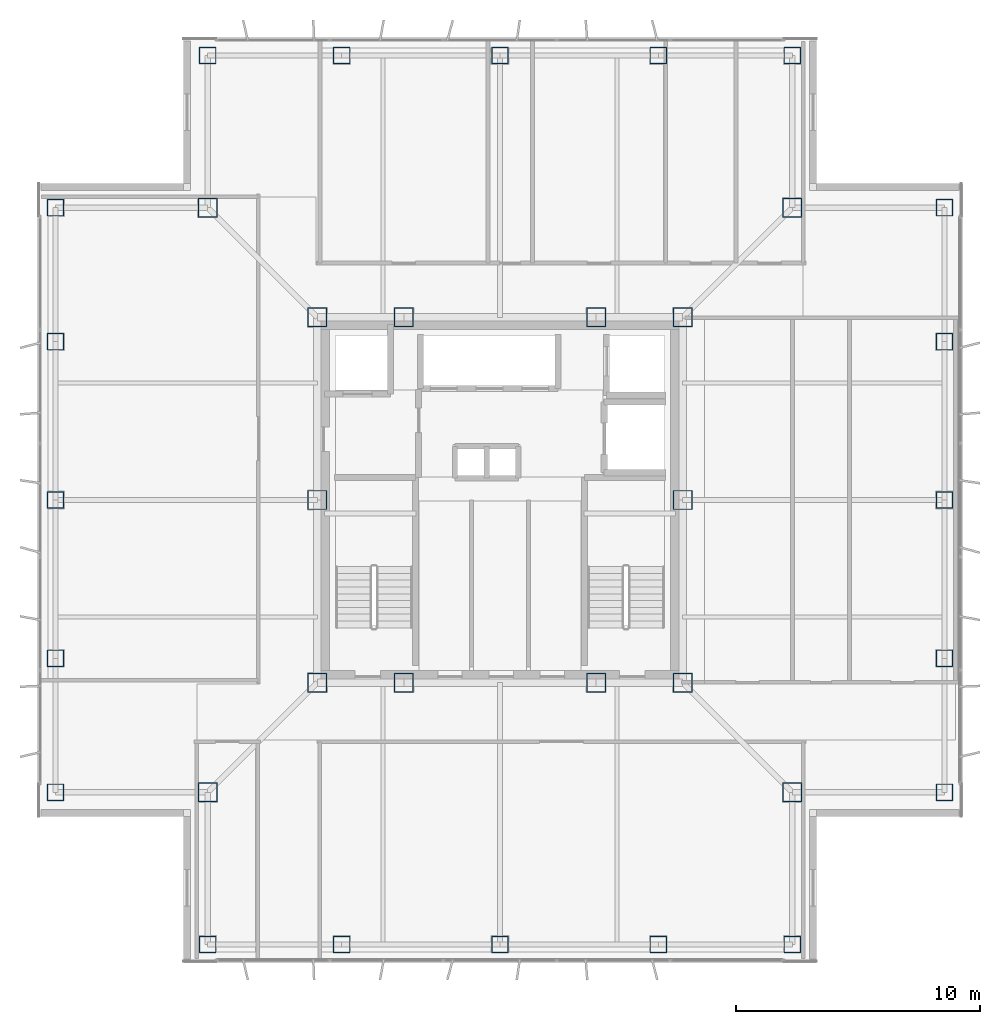
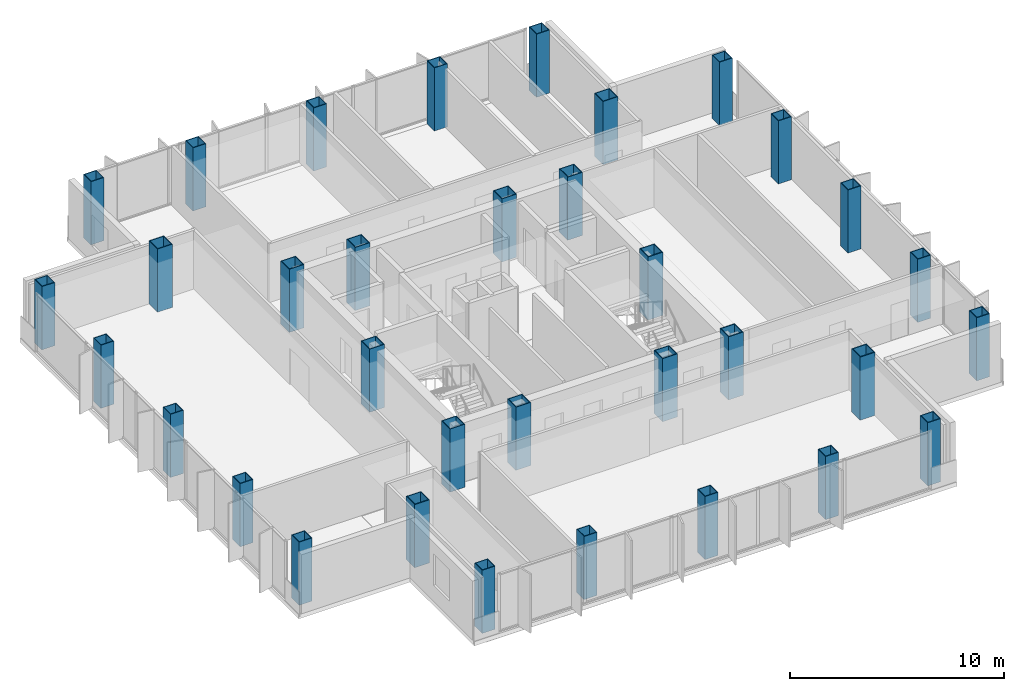
# One storey, part 1 of 15: 34 columns.
"""IFC4 building model written with IfcOpenShell, lengths in metres."""

from ifc_helpers import new_model, si_unit, direction, frame, origin, origin_2d, place, context, subcontext, project, spatial, hollow_rectangle, extrude, material, material_profile, profile_set, type_object, element, save


model = new_model("IFC4")

# Units and contexts
model_context = context("Model", 3, precision=1e-05, world=origin(), true_north=direction((0.0, 1.0)))
body_context = subcontext(model_context, "Body", "Model", "MODEL_VIEW")
ifc_project = project(units=[si_unit("LENGTHUNIT", "METRE"), si_unit("AREAUNIT", "SQUARE_METRE"), si_unit("VOLUMEUNIT", "CUBIC_METRE"), si_unit("PLANEANGLEUNIT", "RADIAN"), si_unit("MASSUNIT", "GRAM", prefix="KILO")], contexts=[model_context])

# Site, building, storey
site_placement = place(None, origin())
site = spatial("IfcSite", under=ifc_project, at=site_placement, CompositionType="ELEMENT")
building_placement = place(site_placement, origin())
building = spatial("IfcBuilding", under=site, at=building_placement, Name="Trevonay Congress Spire", CompositionType="ELEMENT")
storey_placement = place(building_placement, frame((0.0, 0.0, 250.39990234375)))
storey = spatial("IfcBuildingStorey", under=building, at=storey_placement, Name="L65", CompositionType="ELEMENT", Elevation=250.39990234375)

# Columns
ifc_material = material(Name="Steel ASTM A572 Grade 50", Category="steel")
ifc_material_profile_1 = material_profile(ifc_material, hollow_rectangle(XDim=0.800048828125, YDim=0.800048828125, WallThickness=0.0400390625, at=origin_2d()), Name="BOX 800x800x40")
ifc_profile_set_1 = profile_set([ifc_material_profile_1], Name="Steel ASTM A572 Grade 50")
column_type_1 = type_object("IfcColumnType", Name="COL-CORE-BOX800", PredefinedType="COLUMN", material=ifc_profile_set_1)
for number, where, z_axis, x_axis, name in (
    (1, (-7.5, -7.5, 0.0), (0.0, 0.0, 1.0), (1.0, 0.0, 0.0), "L65 column C05 at CC-SW"),
    (2, (-3.949951171875, -7.5, 0.0), (0.0, 0.0, 1.0), (1.0, 0.0, 0.0), "L65 column C05 at CC-SMW"),
    (3, (3.949951171875, -7.5, 0.0), (0.0, 0.0, 1.0), (1.0, 0.0, 0.0), "L65 column C05 at CC-SME"),
    (4, (7.5, -7.5, 0.0), (0.0, 0.0, 1.0), (1.0, 0.0, 0.0), "L65 column C05 at CC-SE"),
    (5, (7.5, 0.0, 0.0), (0.0, 0.0, 1.0), (1.0, 0.0, 0.0), "L65 column C05 at CC-E"),
    (6, (7.5, 7.5, 0.0), (0.0, 0.0, 1.0), (1.0, 0.0, 0.0), "L65 column C05 at CC-NE"),
    (7, (3.949951171875, 7.5, 0.0), (0.0, 0.0, 1.0), (1.0, 0.0, 0.0), "L65 column C05 at CC-NME"),
    (8, (-3.949951171875, 7.5, 0.0), (0.0, 0.0, 1.0), (1.0, 0.0, 0.0), "L65 column C05 at CC-NMW"),
    (9, (-7.5, 7.5, 0.0), (0.0, 0.0, 1.0), (1.0, 0.0, 0.0), "L65 column C05 at CC-NW"),
    (10, (-7.5, 0.0, 0.0), (0.0, 0.0, 1.0), (1.0, 0.0, 0.0), "L65 column C05 at CC-W"),
):
    element("IfcColumn", number, at=place(storey_placement, frame(where, z_axis=z_axis, x_axis=x_axis)), inside=storey, type_object=column_type_1, Name=name, PredefinedType="COLUMN", context=body_context, shape_type="SweptSolid", body=[
        extrude(hollow_rectangle(XDim=0.800048828125, YDim=0.800048828125, WallThickness=0.0400390625, at=origin_2d()), origin(), (0.0, 0.0, 1.0), 3.60009765625),
    ])
ifc_material_profile_2 = material_profile(ifc_material, hollow_rectangle(XDim=0.699951171875, YDim=0.699951171875, WallThickness=0.034912109375, at=origin_2d()), Name="BOX 700x700x35")
ifc_profile_set_2 = profile_set([ifc_material_profile_2], Name="Steel ASTM A572 Grade 50")
column_type_2 = type_object("IfcColumnType", Name="COL-TUBE-BOX700", PredefinedType="COLUMN", material=ifc_profile_set_2)
for number, where, z_axis, x_axis, name in (
    (11, (-12.0, -18.25, 0.0), (0.0, 0.0, 1.0), (1.0, 0.0, 0.0), "L65 column C17 at TS-1"),
    (12, (-12.0, 18.25, 0.0), (0.0, 0.0, 1.0), (1.0, 0.0, 0.0), "L65 column C17 at TN-1"),
    (13, (-18.25, -12.0, 0.0), (0.0, 0.0, 1.0), (1.0, 0.0, 0.0), "L65 column C17 at TW-1"),
    (14, (18.25, -12.0, 0.0), (0.0, 0.0, 1.0), (1.0, 0.0, 0.0), "L65 column C17 at TE-1"),
    (15, (-6.5, -18.25, 0.0), (0.0, 0.0, 1.0), (1.0, 0.0, 0.0), "L65 column C17 at TS-2"),
    (16, (-6.5, 18.25, 0.0), (0.0, 0.0, 1.0), (1.0, 0.0, 0.0), "L65 column C17 at TN-2"),
    (17, (-18.25, -6.5, 0.0), (0.0, 0.0, 1.0), (1.0, 0.0, 0.0), "L65 column C17 at TW-2"),
    (18, (18.25, -6.5, 0.0), (0.0, 0.0, 1.0), (1.0, 0.0, 0.0), "L65 column C17 at TE-2"),
    (19, (0.0, -18.25, 0.0), (0.0, 0.0, 1.0), (1.0, 0.0, 0.0), "L65 column C17 at TS-3"),
    (20, (0.0, 18.25, 0.0), (0.0, 0.0, 1.0), (1.0, 0.0, 0.0), "L65 column C17 at TN-3"),
    (21, (-18.25, 0.0, 0.0), (0.0, 0.0, 1.0), (1.0, 0.0, 0.0), "L65 column C17 at TW-3"),
    (22, (18.25, 0.0, 0.0), (0.0, 0.0, 1.0), (1.0, 0.0, 0.0), "L65 column C17 at TE-3"),
    (23, (6.5, -18.25, 0.0), (0.0, 0.0, 1.0), (1.0, 0.0, 0.0), "L65 column C17 at TS-4"),
    (24, (6.5, 18.25, 0.0), (0.0, 0.0, 1.0), (1.0, 0.0, 0.0), "L65 column C17 at TN-4"),
    (25, (-18.25, 6.5, 0.0), (0.0, 0.0, 1.0), (1.0, 0.0, 0.0), "L65 column C17 at TW-4"),
    (26, (18.25, 6.5, 0.0), (0.0, 0.0, 1.0), (1.0, 0.0, 0.0), "L65 column C17 at TE-4"),
    (27, (12.0, -18.25, 0.0), (0.0, 0.0, 1.0), (1.0, 0.0, 0.0), "L65 column C17 at TS-5"),
    (28, (12.0, 18.25, 0.0), (0.0, 0.0, 1.0), (1.0, 0.0, 0.0), "L65 column C17 at TN-5"),
    (29, (-18.25, 12.0, 0.0), (0.0, 0.0, 1.0), (1.0, 0.0, 0.0), "L65 column C17 at TW-5"),
    (30, (18.25, 12.0, 0.0), (0.0, 0.0, 1.0), (1.0, 0.0, 0.0), "L65 column C17 at TE-5"),
):
    element("IfcColumn", number, at=place(storey_placement, frame(where, z_axis=z_axis, x_axis=x_axis)), inside=storey, type_object=column_type_2, Name=name, PredefinedType="COLUMN", context=body_context, shape_type="SweptSolid", body=[
        extrude(hollow_rectangle(XDim=0.699951171875, YDim=0.699951171875, WallThickness=0.034912109375, at=origin_2d()), origin(), (0.0, 0.0, 1.0), 3.60009765625),
    ])
ifc_material_profile_3 = material_profile(ifc_material, hollow_rectangle(XDim=0.800048828125, YDim=0.800048828125, WallThickness=0.0400390625, at=origin_2d()), Name="BOX 800x800x40")
ifc_profile_set_3 = profile_set([ifc_material_profile_3], Name="Steel ASTM A572 Grade 50")
column_type_3 = type_object("IfcColumnType", Name="COL-TUBE-BOX800", PredefinedType="COLUMN", material=ifc_profile_set_3)
for number, where, z_axis, x_axis, name in (
    (31, (-12.0, -12.0, 0.0), (0.0, 0.0, 1.0), (1.0, 0.0, 0.0), "L65 column C16 at NC-SW"),
    (32, (12.0, -12.0, 0.0), (0.0, 0.0, 1.0), (1.0, 0.0, 0.0), "L65 column C16 at NC-SE"),
    (33, (12.0, 12.0, 0.0), (0.0, 0.0, 1.0), (1.0, 0.0, 0.0), "L65 column C16 at NC-NE"),
    (34, (-12.0, 12.0, 0.0), (0.0, 0.0, 1.0), (1.0, 0.0, 0.0), "L65 column C16 at NC-NW"),
):
    element("IfcColumn", number, at=place(storey_placement, frame(where, z_axis=z_axis, x_axis=x_axis)), inside=storey, type_object=column_type_3, Name=name, PredefinedType="COLUMN", context=body_context, shape_type="SweptSolid", body=[
        extrude(hollow_rectangle(XDim=0.800048828125, YDim=0.800048828125, WallThickness=0.0400390625, at=origin_2d()), origin(), (0.0, 0.0, 1.0), 3.60009765625),
    ])

save(model, "model.ifc")
